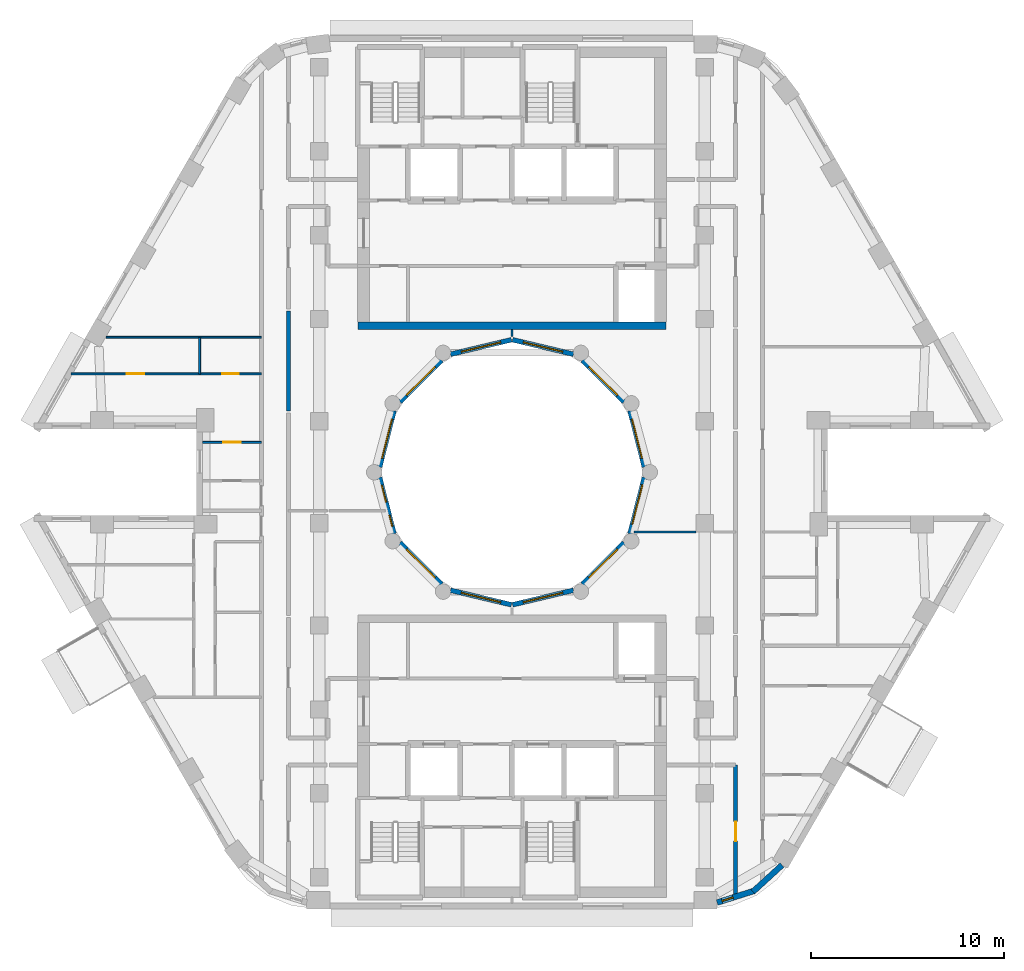
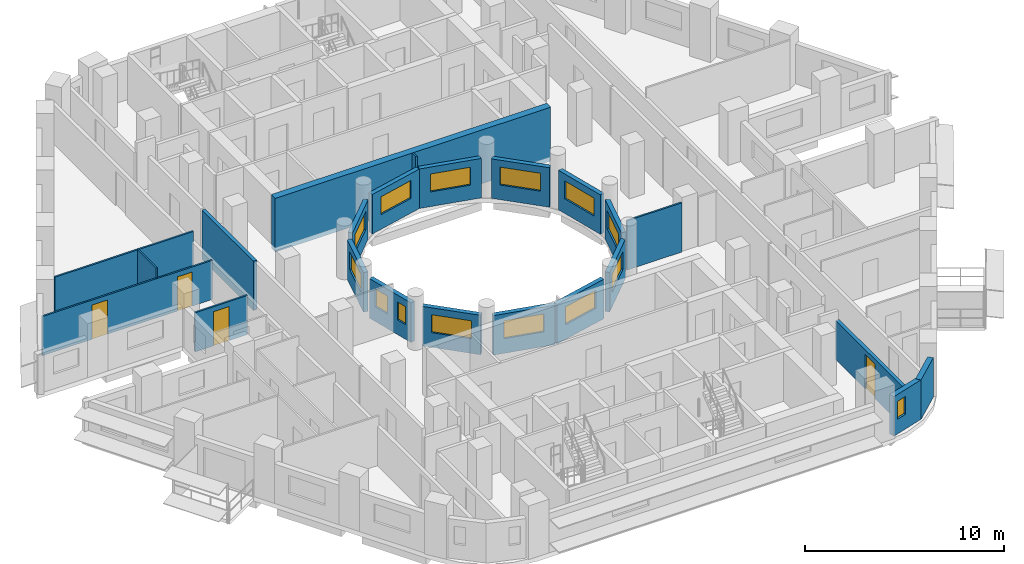
# One storey, part 5 of 15: 23 walls, 14 windows, 4 doors, 18 openings.
"""IFC4 building model written with IfcOpenShell, lengths in metres."""

from ifc_helpers import new_model, si_unit, direction, frame, frame_2d, origin, place, context, subcontext, project, spatial, rectangle, extrude, material, layer, layer_set, type_object, element, fill, save


model = new_model("IFC4")

# Units and contexts
model_context = context("Model", 3, precision=1e-05, world=origin(), true_north=direction((0.0, 1.0)))
body_context = subcontext(model_context, "Body", "Model", "MODEL_VIEW")
ifc_project = project(units=[si_unit("LENGTHUNIT", "METRE"), si_unit("AREAUNIT", "SQUARE_METRE"), si_unit("VOLUMEUNIT", "CUBIC_METRE"), si_unit("PLANEANGLEUNIT", "RADIAN"), si_unit("MASSUNIT", "GRAM", prefix="KILO")], contexts=[model_context])

# Site, building, storey
site_placement = place(None, origin())
site = spatial("IfcSite", under=ifc_project, at=site_placement, CompositionType="ELEMENT")
building_placement = place(site_placement, origin())
building = spatial("IfcBuilding", under=site, at=building_placement, Name="Nakaniwa Court", CompositionType="ELEMENT")
storey_placement = place(building_placement, frame((0.0, 0.0, 213.0)))
storey = spatial("IfcBuildingStorey", under=building, at=storey_placement, Name="L56", CompositionType="ELEMENT", Elevation=213.0)

# Wall, opening, door
ifc_material_1 = material(Name="Acoustic double stud partition")
ifc_layer_1 = layer(ifc_material_1, 0.199951171875)
ifc_layer_set_1 = layer_set([ifc_layer_1], Name="Acoustic double stud partition")
wall_type_1 = type_object("IfcWallType", Name="Acoustic double stud partition 200", PredefinedType="PARTITIONING", material=ifc_layer_set_1)
wall_1_placement = place(storey_placement, frame((91.60009765625, 57.92626953125, 0.0), z_axis=(0.0, 0.0, 1.0), x_axis=(0.0, 1.0, 0.0)))
wall_1 = element("IfcWall", 1, at=wall_1_placement, inside=storey, type_object=wall_type_1, Name="Partition PW-065", PredefinedType="PARTITIONING", context=body_context, shape_type="SweptSolid", body=[
    extrude(rectangle(XDim=6.898681640625, YDim=0.199951171875, at=frame_2d((3.44921875, 0.0))), origin(), (0.0, 0.0, 1.0), 2.405029296875),
])
opening_1_placement = place(wall_1_placement, frame((2.948974609375, 0.0, 0.0)))
opening_1 = element("IfcOpeningElement", 2, at=opening_1_placement, cuts=wall_1, Name="Opening D-02-01", PredefinedType="OPENING", context=body_context, shape_type="SweptSolid", body=[
    extrude(rectangle(XDim=1.0, YDim=2.10009765625, at=frame_2d((0.5, 1.050048828125))), frame((0.0, 0.10986328125, 0.0), z_axis=(0.0, -1.0, 0.0), x_axis=(1.0, 0.0, 0.0)), (0.0, 0.0, 1.0), 0.219970703125),
])
ifc_material_2 = material(Name="Solid core timber door set, black veneer", Category="wood")
door_type_1 = type_object("IfcDoorType", Name="Internal door 1000", OperationType="NOTDEFINED", PredefinedType="DOOR", material=ifc_material_2)
door_1_placement = place(opening_1_placement, origin())
door_1 = element("IfcDoor", 3, at=door_1_placement, inside=storey, type_object=door_type_1, Name="Door D-02-01 L56-021", OperationType="SINGLE_SWING_RIGHT", OverallHeight=2.10009765625, OverallWidth=1.0, PredefinedType="DOOR", context=body_context, shape_type="SweptSolid", body=[
    extrude(rectangle(XDim=1.0, YDim=2.10009765625, at=frame_2d((0.5, 1.050048828125))), frame((0.0, 0.02490234375, 0.0), z_axis=(0.0, -1.0, 0.0), x_axis=(1.0, 0.0, 0.0)), (0.0, 0.0, 1.0), 0.050048828125),
])
fill(opening_1, door_1)

# Wall
wall_2_placement = place(storey_placement, frame((68.39990234375, 83.17724609375, 0.0), z_axis=(0.0, 0.0, 1.0), x_axis=(0.0, 1.0, 0.0)))
element("IfcWall", 4, at=wall_2_placement, inside=storey, type_object=wall_type_1, Name="Partition PW-095", PredefinedType="PARTITIONING", context=body_context, shape_type="SweptSolid", body=[
    extrude(rectangle(XDim=5.185546875, YDim=0.199951171875, at=frame_2d((2.5927734375, 0.0))), origin(), (0.0, 0.0, 1.0), 3.02490234375),
])

# Wall, opening, window
ifc_material_3 = material(Name="Charcoal ceramic cladding")
ifc_layer_2 = layer(ifc_material_3, 0.02, Name="Ceramic cladding")
ifc_material_4 = material(Name="Ventilated air cavity")
ifc_layer_3 = layer(ifc_material_4, 0.04, ventilated=True, Name="Ventilated cavity")
ifc_material_5 = material(Name="Mineral wool insulation")
ifc_layer_4 = layer(ifc_material_5, 0.1, Name="Insulation")
ifc_material_6 = material(Name="Cement bonded sheathing board")
ifc_layer_5 = layer(ifc_material_6, 0.012, Name="Sheathing")
ifc_material_7 = material(Name="Cold-formed galvanised stud frame with mineral wool infill")
ifc_layer_6 = layer(ifc_material_7, 0.1, Name="Stud frame")
ifc_material_8 = material(Name="Fire-rated gypsum plasterboard lining")
ifc_layer_7 = layer(ifc_material_8, 0.028, Name="Lining")
ifc_layer_set_2 = layer_set([ifc_layer_2, ifc_layer_3, ifc_layer_4, ifc_layer_5, ifc_layer_6, ifc_layer_7], Name="Charcoal ceramic faced external wall system")
wall_type_2 = type_object("IfcWallType", Name="Black ceramic faced external wall 300", PredefinedType="SOLIDWALL", material=ifc_layer_set_2)
wall_3_placement = place(storey_placement, frame((90.6357421875, 57.684814453125, 0.0), z_axis=(0.0, 0.0, 1.0), x_axis=(0.95368324118, 0.300812691707, 0.0)))
wall_3 = element("IfcWall", 5, at=wall_3_placement, inside=storey, type_object=wall_type_2, Name="L56 external wall 27", PredefinedType="SOLIDWALL", context=body_context, shape_type="SweptSolid", body=[
    extrude(rectangle(XDim=2.053466796875, YDim=0.300048828125, at=frame_2d((1.02685546875, 0.0))), origin(), (0.0, 0.0, 1.0), 2.425048828125),
])
opening_2_placement = place(wall_3_placement, frame((0.271240234375, 0.0, 0.89990234375)))
opening_2 = element("IfcOpeningElement", 6, at=opening_2_placement, cuts=wall_3, Name="Opening W8.31", PredefinedType="OPENING", context=body_context, shape_type="SweptSolid", body=[
    extrude(rectangle(XDim=0.60009765625, YDim=1.10009765625, at=frame_2d((0.300048828125, 0.550048828125))), frame((0.0, 0.159912109375, 0.0), z_axis=(0.0, -1.0, 0.0), x_axis=(1.0, 0.0, 0.0)), (0.0, 0.0, 1.0), 0.320068359375),
])
ifc_material_9 = material(Name="Black anodised aluminium frame with dark low-E laminated double glazing", Category="aluminium")
window_type_1 = type_object("IfcWindowType", Name="Dark glass window 600x1100 sill 900", PartitioningType="SINGLE_PANEL", PredefinedType="WINDOW", material=ifc_material_9)
window_1_placement = place(opening_2_placement, origin())
window_1 = element("IfcWindow", 7, at=window_1_placement, inside=storey, type_object=window_type_1, Name="L56 habitable room window 27-0", OverallHeight=1.10009765625, OverallWidth=0.60009765625, PartitioningType="SINGLE_PANEL", PredefinedType="WINDOW", context=body_context, shape_type="SweptSolid", body=[
    extrude(rectangle(XDim=0.60009765625, YDim=1.10009765625, at=frame_2d((0.300048828125, 0.550048828125))), frame((0.0, 0.030029296875, 0.0), z_axis=(0.0, -1.0, 0.0), x_axis=(1.0, 0.0, 0.0)), (0.0, 0.0, 1.0), 0.06005859375),
])
fill(opening_2, window_1)

# Wall
wall_4_placement = place(storey_placement, frame((92.494140625, 58.243896484375, 0.0), z_axis=(0.0, 0.0, 1.0), x_axis=(0.73764876128, 0.675184645102, 0.0)))
element("IfcWall", 8, at=wall_4_placement, inside=storey, type_object=wall_type_2, Name="L56 external wall 28", PredefinedType="SOLIDWALL", context=body_context, shape_type="SweptSolid", body=[
    extrude(rectangle(XDim=2.048095703125, YDim=0.300048828125, at=frame_2d((1.02392578125, 0.0))), origin(), (0.0, 0.0, 1.0), 2.425048828125),
])

# Wall, opening, window
ifc_layer_8 = layer(ifc_material_3, 0.02, Name="Ceramic cladding")
ifc_layer_9 = layer(ifc_material_4, 0.04, ventilated=True, Name="Ventilated cavity")
ifc_layer_10 = layer(ifc_material_5, 0.075, Name="Insulation")
ifc_layer_11 = layer(ifc_material_6, 0.012, Name="Sheathing")
ifc_layer_12 = layer(ifc_material_7, 0.075, Name="Stud frame")
ifc_layer_13 = layer(ifc_material_8, 0.028, Name="Lining")
ifc_layer_set_3 = layer_set([ifc_layer_8, ifc_layer_9, ifc_layer_10, ifc_layer_11, ifc_layer_12, ifc_layer_13], Name="Charcoal ceramic faced external wall system")
wall_type_3 = type_object("IfcWallType", Name="Charcoal ceramic faced well wall 250", PredefinedType="SOLIDWALL", material=ifc_layer_set_3)
wall_5_placement = place(storey_placement, frame((86.8603515625, 79.72998046875, 0.0), z_axis=(0.0, 0.0, 1.0), x_axis=(-0.247055971283, -0.969001211069, 0.0)))
wall_5 = element("IfcWall", 9, at=wall_5_placement, inside=storey, type_object=wall_type_3, Name="L56 external wall 36", PredefinedType="SOLIDWALL", context=body_context, shape_type="SweptSolid", body=[
    extrude(rectangle(XDim=3.010009765625, YDim=0.25, at=frame_2d((1.5048828125, 0.0))), origin(), (0.0, 0.0, 1.0), 2.425048828125),
])
opening_3_placement = place(wall_5_placement, frame((0.400634765625, 0.0, 0.89990234375)))
opening_3 = element("IfcOpeningElement", 10, at=opening_3_placement, cuts=wall_5, Name="Opening W7.37", PredefinedType="OPENING", context=body_context, shape_type="SweptSolid", body=[
    extrude(rectangle(XDim=2.10009765625, YDim=1.10009765625, at=frame_2d((1.050048828125, 0.550048828125))), frame((0.0, 0.135009765625, 0.0), z_axis=(0.0, -1.0, 0.0), x_axis=(1.0, 0.0, 0.0)), (0.0, 0.0, 1.0), 0.27001953125),
])
window_type_2 = type_object("IfcWindowType", Name="Dark glass window 2100x1100 sill 900", PartitioningType="SINGLE_PANEL", PredefinedType="WINDOW", material=ifc_material_9)
window_2_placement = place(opening_3_placement, origin())
window_2 = element("IfcWindow", 11, at=window_2_placement, inside=storey, type_object=window_type_2, Name="L56 habitable room window 36-0", OverallHeight=1.10009765625, OverallWidth=2.10009765625, PartitioningType="SINGLE_PANEL", PredefinedType="WINDOW", context=body_context, shape_type="SweptSolid", body=[
    extrude(rectangle(XDim=2.10009765625, YDim=1.10009765625, at=frame_2d((1.050048828125, 0.550048828125))), frame((0.0, 0.030029296875, 0.0), z_axis=(0.0, -1.0, 0.0), x_axis=(1.0, 0.0, 0.0)), (0.0, 0.0, 1.0), 0.06005859375),
])
fill(opening_3, window_2)

wall_6_placement = place(storey_placement, frame((85.8056640625, 76.339111328125, 0.0), z_axis=(0.0, 0.0, 1.0), x_axis=(-0.707106781187, -0.707106781187, 0.0)))
wall_6 = element("IfcWall", 12, at=wall_6_placement, inside=storey, type_object=wall_type_3, Name="L56 external wall 37", PredefinedType="SOLIDWALL", context=body_context, shape_type="SweptSolid", body=[
    extrude(rectangle(XDim=3.033203125, YDim=0.25, at=frame_2d((1.5166015625, 0.0))), origin(), (0.0, 0.0, 1.0), 2.425048828125),
])
opening_4_placement = place(wall_6_placement, frame((0.466552734375, 0.0, 0.89990234375)))
opening_4 = element("IfcOpeningElement", 13, at=opening_4_placement, cuts=wall_6, Name="Opening W7.38", PredefinedType="OPENING", context=body_context, shape_type="SweptSolid", body=[
    extrude(rectangle(XDim=2.10009765625, YDim=1.10009765625, at=frame_2d((1.050048828125, 0.550048828125))), frame((0.0, 0.135009765625, 0.0), z_axis=(0.0, -1.0, 0.0), x_axis=(1.0, 0.0, 0.0)), (0.0, 0.0, 1.0), 0.27001953125),
])
window_3_placement = place(opening_4_placement, origin())
window_3 = element("IfcWindow", 14, at=window_3_placement, inside=storey, type_object=window_type_2, Name="L56 habitable room window 37-0", OverallHeight=1.10009765625, OverallWidth=2.10009765625, PartitioningType="SINGLE_PANEL", PredefinedType="WINDOW", context=body_context, shape_type="SweptSolid", body=[
    extrude(rectangle(XDim=2.10009765625, YDim=1.10009765625, at=frame_2d((1.050048828125, 0.550048828125))), frame((0.0, 0.030029296875, 0.0), z_axis=(0.0, -1.0, 0.0), x_axis=(1.0, 0.0, 0.0)), (0.0, 0.0, 1.0), 0.06005859375),
])
fill(opening_4, window_3)

wall_7_placement = place(storey_placement, frame((83.186279296875, 73.880615234375, 0.0), z_axis=(0.0, 0.0, 1.0), x_axis=(-0.972773113459, -0.231759508395, 0.0)))
wall_7 = element("IfcWall", 15, at=wall_7_placement, inside=storey, type_object=wall_type_3, Name="L56 external wall 38", PredefinedType="SOLIDWALL", context=body_context, shape_type="SweptSolid", body=[
    extrude(rectangle(XDim=3.24560546875, YDim=0.25, at=frame_2d((1.622802734375, 0.0))), origin(), (0.0, 0.0, 1.0), 2.425048828125),
])
opening_5_placement = place(wall_7_placement, frame((0.57275390625, 0.0, 0.89990234375)))
opening_5 = element("IfcOpeningElement", 16, at=opening_5_placement, cuts=wall_7, Name="Opening W7.39", PredefinedType="OPENING", context=body_context, shape_type="SweptSolid", body=[
    extrude(rectangle(XDim=2.10009765625, YDim=1.10009765625, at=frame_2d((1.050048828125, 0.550048828125))), frame((0.0, 0.135009765625, 0.0), z_axis=(0.0, -1.0, 0.0), x_axis=(1.0, 0.0, 0.0)), (0.0, 0.0, 1.0), 0.27001953125),
])
window_4_placement = place(opening_5_placement, origin())
window_4 = element("IfcWindow", 17, at=window_4_placement, inside=storey, type_object=window_type_2, Name="L56 habitable room window 38-0", OverallHeight=1.10009765625, OverallWidth=2.10009765625, PartitioningType="SINGLE_PANEL", PredefinedType="WINDOW", context=body_context, shape_type="SweptSolid", body=[
    extrude(rectangle(XDim=2.10009765625, YDim=1.10009765625, at=frame_2d((1.050048828125, 0.550048828125))), frame((0.0, 0.030029296875, 0.0), z_axis=(0.0, -1.0, 0.0), x_axis=(1.0, 0.0, 0.0)), (0.0, 0.0, 1.0), 0.06005859375),
])
fill(opening_5, window_4)

wall_8_placement = place(storey_placement, frame((79.970947265625, 73.12841796875, 0.0), z_axis=(0.0, 0.0, 1.0), x_axis=(-0.972773113459, 0.231759508395, 0.0)))
wall_8 = element("IfcWall", 18, at=wall_8_placement, inside=storey, type_object=wall_type_3, Name="L56 external wall 39", PredefinedType="SOLIDWALL", context=body_context, shape_type="SweptSolid", body=[
    extrude(rectangle(XDim=3.24560546875, YDim=0.25, at=frame_2d((1.622802734375, 0.0))), origin(), (0.0, 0.0, 1.0), 2.425048828125),
])
opening_6_placement = place(wall_8_placement, frame((0.57275390625, 0.0, 0.89990234375)))
opening_6 = element("IfcOpeningElement", 19, at=opening_6_placement, cuts=wall_8, Name="Opening W7.40", PredefinedType="OPENING", context=body_context, shape_type="SweptSolid", body=[
    extrude(rectangle(XDim=2.10009765625, YDim=1.10009765625, at=frame_2d((1.050048828125, 0.550048828125))), frame((0.0, 0.135009765625, 0.0), z_axis=(0.0, -1.0, 0.0), x_axis=(1.0, 0.0, 0.0)), (0.0, 0.0, 1.0), 0.27001953125),
])
window_5_placement = place(opening_6_placement, origin())
window_5 = element("IfcWindow", 20, at=window_5_placement, inside=storey, type_object=window_type_2, Name="L56 habitable room window 39-0", OverallHeight=1.10009765625, OverallWidth=2.10009765625, PartitioningType="SINGLE_PANEL", PredefinedType="WINDOW", context=body_context, shape_type="SweptSolid", body=[
    extrude(rectangle(XDim=2.10009765625, YDim=1.10009765625, at=frame_2d((1.050048828125, 0.550048828125))), frame((0.0, 0.030029296875, 0.0), z_axis=(0.0, -1.0, 0.0), x_axis=(1.0, 0.0, 0.0)), (0.0, 0.0, 1.0), 0.06005859375),
])
fill(opening_6, window_5)

wall_9_placement = place(storey_placement, frame((76.339111328125, 74.1943359375, 0.0), z_axis=(0.0, 0.0, 1.0), x_axis=(-0.707106781187, 0.707106781187, 0.0)))
wall_9 = element("IfcWall", 21, at=wall_9_placement, inside=storey, type_object=wall_type_3, Name="L56 external wall 40", PredefinedType="SOLIDWALL", context=body_context, shape_type="SweptSolid", body=[
    extrude(rectangle(XDim=3.033203125, YDim=0.25, at=frame_2d((1.5166015625, 0.0))), origin(), (0.0, 0.0, 1.0), 2.425048828125),
])
opening_7_placement = place(wall_9_placement, frame((0.466552734375, 0.0, 0.89990234375)))
opening_7 = element("IfcOpeningElement", 22, at=opening_7_placement, cuts=wall_9, Name="Opening W7.41", PredefinedType="OPENING", context=body_context, shape_type="SweptSolid", body=[
    extrude(rectangle(XDim=2.10009765625, YDim=1.10009765625, at=frame_2d((1.050048828125, 0.550048828125))), frame((0.0, 0.135009765625, 0.0), z_axis=(0.0, -1.0, 0.0), x_axis=(1.0, 0.0, 0.0)), (0.0, 0.0, 1.0), 0.27001953125),
])
window_6_placement = place(opening_7_placement, origin())
window_6 = element("IfcWindow", 23, at=window_6_placement, inside=storey, type_object=window_type_2, Name="L56 habitable room window 40-0", OverallHeight=1.10009765625, OverallWidth=2.10009765625, PartitioningType="SINGLE_PANEL", PredefinedType="WINDOW", context=body_context, shape_type="SweptSolid", body=[
    extrude(rectangle(XDim=2.10009765625, YDim=1.10009765625, at=frame_2d((1.050048828125, 0.550048828125))), frame((0.0, 0.030029296875, 0.0), z_axis=(0.0, -1.0, 0.0), x_axis=(1.0, 0.0, 0.0)), (0.0, 0.0, 1.0), 0.06005859375),
])
fill(opening_7, window_6)

# Wall, openings, windows
wall_10_placement = place(storey_placement, frame((73.88330078125, 76.813232421875, 0.0), z_axis=(0.0, 0.0, 1.0), x_axis=(-0.247055971283, 0.969001211069, 0.0)))
wall_10 = element("IfcWall", 24, at=wall_10_placement, inside=storey, type_object=wall_type_3, Name="L56 external wall 41", PredefinedType="SOLIDWALL", context=body_context, shape_type="SweptSolid", body=[
    extrude(rectangle(XDim=3.010009765625, YDim=0.25, at=frame_2d((1.5048828125, 0.0))), origin(), (0.0, 0.0, 1.0), 2.425048828125),
])
opening_8_placement = place(wall_10_placement, frame((0.3916015625, 0.0, 0.89990234375)))
opening_8 = element("IfcOpeningElement", 25, at=opening_8_placement, cuts=wall_10, Name="Opening W8.42", PredefinedType="OPENING", context=body_context, shape_type="SweptSolid", body=[
    extrude(rectangle(XDim=0.60009765625, YDim=1.10009765625, at=frame_2d((0.300048828125, 0.550048828125))), frame((0.0, 0.135009765625, 0.0), z_axis=(0.0, -1.0, 0.0), x_axis=(1.0, 0.0, 0.0)), (0.0, 0.0, 1.0), 0.27001953125),
])
opening_9_placement = place(wall_10_placement, frame((1.69140625, 0.0, 0.89990234375)))
opening_9 = element("IfcOpeningElement", 26, at=opening_9_placement, cuts=wall_10, Name="Opening W9.43", PredefinedType="OPENING", context=body_context, shape_type="SweptSolid", body=[
    extrude(rectangle(XDim=0.89990234375, YDim=1.10009765625, at=frame_2d((0.449951171875, 0.550048828125))), frame((0.0, 0.135009765625, 0.0), z_axis=(0.0, -1.0, 0.0), x_axis=(1.0, 0.0, 0.0)), (0.0, 0.0, 1.0), 0.27001953125),
])
window_7_placement = place(opening_8_placement, origin())
window_7 = element("IfcWindow", 27, at=window_7_placement, inside=storey, type_object=window_type_1, Name="L56 habitable room window 41-0", OverallHeight=1.10009765625, OverallWidth=0.60009765625, PartitioningType="SINGLE_PANEL", PredefinedType="WINDOW", context=body_context, shape_type="SweptSolid", body=[
    extrude(rectangle(XDim=0.60009765625, YDim=1.10009765625, at=frame_2d((0.300048828125, 0.550048828125))), frame((0.0, 0.030029296875, 0.0), z_axis=(0.0, -1.0, 0.0), x_axis=(1.0, 0.0, 0.0)), (0.0, 0.0, 1.0), 0.06005859375),
])
fill(opening_8, window_7)
window_type_3 = type_object("IfcWindowType", Name="Dark glass window 900x1100 sill 900", PartitioningType="SINGLE_PANEL", PredefinedType="WINDOW", material=ifc_material_9)
window_8_placement = place(opening_9_placement, origin())
window_8 = element("IfcWindow", 28, at=window_8_placement, inside=storey, type_object=window_type_3, Name="L56 habitable room window 41-1", OverallHeight=1.10009765625, OverallWidth=0.89990234375, PartitioningType="SINGLE_PANEL", PredefinedType="WINDOW", context=body_context, shape_type="SweptSolid", body=[
    extrude(rectangle(XDim=0.89990234375, YDim=1.10009765625, at=frame_2d((0.449951171875, 0.550048828125))), frame((0.0, 0.030029296875, 0.0), z_axis=(0.0, -1.0, 0.0), x_axis=(1.0, 0.0, 0.0)), (0.0, 0.0, 1.0), 0.06005859375),
])
fill(opening_9, window_8)

# Wall, opening, window
wall_11_placement = place(storey_placement, frame((73.1396484375, 80.27001953125, 0.0), z_axis=(0.0, 0.0, 1.0), x_axis=(0.247055971283, 0.969001211069, 0.0)))
wall_11 = element("IfcWall", 29, at=wall_11_placement, inside=storey, type_object=wall_type_3, Name="L56 external wall 42", PredefinedType="SOLIDWALL", context=body_context, shape_type="SweptSolid", body=[
    extrude(rectangle(XDim=3.010009765625, YDim=0.25, at=frame_2d((1.5048828125, 0.0))), origin(), (0.0, 0.0, 1.0), 2.425048828125),
])
opening_10_placement = place(wall_11_placement, frame((0.46875, 0.0, 0.89990234375)))
opening_10 = element("IfcOpeningElement", 30, at=opening_10_placement, cuts=wall_11, Name="Opening W7.44", PredefinedType="OPENING", context=body_context, shape_type="SweptSolid", body=[
    extrude(rectangle(XDim=2.10009765625, YDim=1.10009765625, at=frame_2d((1.050048828125, 0.550048828125))), frame((0.0, 0.135009765625, 0.0), z_axis=(0.0, -1.0, 0.0), x_axis=(1.0, 0.0, 0.0)), (0.0, 0.0, 1.0), 0.27001953125),
])
window_9_placement = place(opening_10_placement, origin())
window_9 = element("IfcWindow", 31, at=window_9_placement, inside=storey, type_object=window_type_2, Name="L56 habitable room window 42-0", OverallHeight=1.10009765625, OverallWidth=2.10009765625, PartitioningType="SINGLE_PANEL", PredefinedType="WINDOW", context=body_context, shape_type="SweptSolid", body=[
    extrude(rectangle(XDim=2.10009765625, YDim=1.10009765625, at=frame_2d((1.050048828125, 0.550048828125))), frame((0.0, 0.030029296875, 0.0), z_axis=(0.0, -1.0, 0.0), x_axis=(1.0, 0.0, 0.0)), (0.0, 0.0, 1.0), 0.06005859375),
])
fill(opening_10, window_9)

wall_12_placement = place(storey_placement, frame((74.1943359375, 83.660888671875, 0.0), z_axis=(0.0, 0.0, 1.0), x_axis=(0.707106781187, 0.707106781187, 0.0)))
wall_12 = element("IfcWall", 32, at=wall_12_placement, inside=storey, type_object=wall_type_3, Name="L56 external wall 43", PredefinedType="SOLIDWALL", context=body_context, shape_type="SweptSolid", body=[
    extrude(rectangle(XDim=3.033203125, YDim=0.25, at=frame_2d((1.5166015625, 0.0))), origin(), (0.0, 0.0, 1.0), 2.425048828125),
])
opening_11_placement = place(wall_12_placement, frame((0.466552734375, 0.0, 0.89990234375)))
opening_11 = element("IfcOpeningElement", 33, at=opening_11_placement, cuts=wall_12, Name="Opening W7.45", PredefinedType="OPENING", context=body_context, shape_type="SweptSolid", body=[
    extrude(rectangle(XDim=2.10009765625, YDim=1.10009765625, at=frame_2d((1.050048828125, 0.550048828125))), frame((0.0, 0.135009765625, 0.0), z_axis=(0.0, -1.0, 0.0), x_axis=(1.0, 0.0, 0.0)), (0.0, 0.0, 1.0), 0.27001953125),
])
window_10_placement = place(opening_11_placement, origin())
window_10 = element("IfcWindow", 34, at=window_10_placement, inside=storey, type_object=window_type_2, Name="L56 habitable room window 43-0", OverallHeight=1.10009765625, OverallWidth=2.10009765625, PartitioningType="SINGLE_PANEL", PredefinedType="WINDOW", context=body_context, shape_type="SweptSolid", body=[
    extrude(rectangle(XDim=2.10009765625, YDim=1.10009765625, at=frame_2d((1.050048828125, 0.550048828125))), frame((0.0, 0.030029296875, 0.0), z_axis=(0.0, -1.0, 0.0), x_axis=(1.0, 0.0, 0.0)), (0.0, 0.0, 1.0), 0.06005859375),
])
fill(opening_11, window_10)

wall_13_placement = place(storey_placement, frame((76.813720703125, 86.119384765625, 0.0), z_axis=(0.0, 0.0, 1.0), x_axis=(0.972773113459, 0.231759508395, 0.0)))
wall_13 = element("IfcWall", 35, at=wall_13_placement, inside=storey, type_object=wall_type_3, Name="L56 external wall 44", PredefinedType="SOLIDWALL", context=body_context, shape_type="SweptSolid", body=[
    extrude(rectangle(XDim=3.24560546875, YDim=0.25, at=frame_2d((1.622802734375, 0.0))), origin(), (0.0, 0.0, 1.0), 2.425048828125),
])
opening_12_placement = place(wall_13_placement, frame((0.57275390625, 0.0, 0.89990234375)))
opening_12 = element("IfcOpeningElement", 36, at=opening_12_placement, cuts=wall_13, Name="Opening W7.46", PredefinedType="OPENING", context=body_context, shape_type="SweptSolid", body=[
    extrude(rectangle(XDim=2.10009765625, YDim=1.10009765625, at=frame_2d((1.050048828125, 0.550048828125))), frame((0.0, 0.135009765625, 0.0), z_axis=(0.0, -1.0, 0.0), x_axis=(1.0, 0.0, 0.0)), (0.0, 0.0, 1.0), 0.27001953125),
])
window_11_placement = place(opening_12_placement, origin())
window_11 = element("IfcWindow", 37, at=window_11_placement, inside=storey, type_object=window_type_2, Name="L56 habitable room window 44-0", OverallHeight=1.10009765625, OverallWidth=2.10009765625, PartitioningType="SINGLE_PANEL", PredefinedType="WINDOW", context=body_context, shape_type="SweptSolid", body=[
    extrude(rectangle(XDim=2.10009765625, YDim=1.10009765625, at=frame_2d((1.050048828125, 0.550048828125))), frame((0.0, 0.030029296875, 0.0), z_axis=(0.0, -1.0, 0.0), x_axis=(1.0, 0.0, 0.0)), (0.0, 0.0, 1.0), 0.06005859375),
])
fill(opening_12, window_11)

wall_14_placement = place(storey_placement, frame((80.029052734375, 86.87158203125, 0.0), z_axis=(0.0, 0.0, 1.0), x_axis=(0.972773113459, -0.231759508395, 0.0)))
wall_14 = element("IfcWall", 38, at=wall_14_placement, inside=storey, type_object=wall_type_3, Name="L56 external wall 45", PredefinedType="SOLIDWALL", context=body_context, shape_type="SweptSolid", body=[
    extrude(rectangle(XDim=3.24560546875, YDim=0.25, at=frame_2d((1.622802734375, 0.0))), origin(), (0.0, 0.0, 1.0), 2.425048828125),
])
opening_13_placement = place(wall_14_placement, frame((0.57275390625, 0.0, 0.89990234375)))
opening_13 = element("IfcOpeningElement", 39, at=opening_13_placement, cuts=wall_14, Name="Opening W7.47", PredefinedType="OPENING", context=body_context, shape_type="SweptSolid", body=[
    extrude(rectangle(XDim=2.10009765625, YDim=1.10009765625, at=frame_2d((1.050048828125, 0.550048828125))), frame((0.0, 0.135009765625, 0.0), z_axis=(0.0, -1.0, 0.0), x_axis=(1.0, 0.0, 0.0)), (0.0, 0.0, 1.0), 0.27001953125),
])
window_12_placement = place(opening_13_placement, origin())
window_12 = element("IfcWindow", 40, at=window_12_placement, inside=storey, type_object=window_type_2, Name="L56 habitable room window 45-0", OverallHeight=1.10009765625, OverallWidth=2.10009765625, PartitioningType="SINGLE_PANEL", PredefinedType="WINDOW", context=body_context, shape_type="SweptSolid", body=[
    extrude(rectangle(XDim=2.10009765625, YDim=1.10009765625, at=frame_2d((1.050048828125, 0.550048828125))), frame((0.0, 0.030029296875, 0.0), z_axis=(0.0, -1.0, 0.0), x_axis=(1.0, 0.0, 0.0)), (0.0, 0.0, 1.0), 0.06005859375),
])
fill(opening_13, window_12)

wall_15_placement = place(storey_placement, frame((83.660888671875, 85.8056640625, 0.0), z_axis=(0.0, 0.0, 1.0), x_axis=(0.707106781187, -0.707106781187, 0.0)))
wall_15 = element("IfcWall", 41, at=wall_15_placement, inside=storey, type_object=wall_type_3, Name="L56 external wall 46", PredefinedType="SOLIDWALL", context=body_context, shape_type="SweptSolid", body=[
    extrude(rectangle(XDim=3.033203125, YDim=0.25, at=frame_2d((1.5166015625, 0.0))), origin(), (0.0, 0.0, 1.0), 2.425048828125),
])
opening_14_placement = place(wall_15_placement, frame((0.466552734375, 0.0, 0.89990234375)))
opening_14 = element("IfcOpeningElement", 42, at=opening_14_placement, cuts=wall_15, Name="Opening W7.48", PredefinedType="OPENING", context=body_context, shape_type="SweptSolid", body=[
    extrude(rectangle(XDim=2.10009765625, YDim=1.10009765625, at=frame_2d((1.050048828125, 0.550048828125))), frame((0.0, 0.135009765625, 0.0), z_axis=(0.0, -1.0, 0.0), x_axis=(1.0, 0.0, 0.0)), (0.0, 0.0, 1.0), 0.27001953125),
])
window_13_placement = place(opening_14_placement, origin())
window_13 = element("IfcWindow", 43, at=window_13_placement, inside=storey, type_object=window_type_2, Name="L56 habitable room window 46-0", OverallHeight=1.10009765625, OverallWidth=2.10009765625, PartitioningType="SINGLE_PANEL", PredefinedType="WINDOW", context=body_context, shape_type="SweptSolid", body=[
    extrude(rectangle(XDim=2.10009765625, YDim=1.10009765625, at=frame_2d((1.050048828125, 0.550048828125))), frame((0.0, 0.030029296875, 0.0), z_axis=(0.0, -1.0, 0.0), x_axis=(1.0, 0.0, 0.0)), (0.0, 0.0, 1.0), 0.06005859375),
])
fill(opening_14, window_13)

wall_16_placement = place(storey_placement, frame((86.11669921875, 83.186767578125, 0.0), z_axis=(0.0, 0.0, 1.0), x_axis=(0.247055971283, -0.969001211069, 0.0)))
wall_16 = element("IfcWall", 44, at=wall_16_placement, inside=storey, type_object=wall_type_3, Name="L56 external wall 47", PredefinedType="SOLIDWALL", context=body_context, shape_type="SweptSolid", body=[
    extrude(rectangle(XDim=3.010009765625, YDim=0.25, at=frame_2d((1.5048828125, 0.0))), origin(), (0.0, 0.0, 1.0), 2.425048828125),
])
opening_15_placement = place(wall_16_placement, frame((0.441162109375, 0.0, 0.89990234375)))
opening_15 = element("IfcOpeningElement", 45, at=opening_15_placement, cuts=wall_16, Name="Opening W7.49", PredefinedType="OPENING", context=body_context, shape_type="SweptSolid", body=[
    extrude(rectangle(XDim=2.10009765625, YDim=1.10009765625, at=frame_2d((1.050048828125, 0.550048828125))), frame((0.0, 0.135009765625, 0.0), z_axis=(0.0, -1.0, 0.0), x_axis=(1.0, 0.0, 0.0)), (0.0, 0.0, 1.0), 0.27001953125),
])
window_14_placement = place(opening_15_placement, origin())
window_14 = element("IfcWindow", 46, at=window_14_placement, inside=storey, type_object=window_type_2, Name="L56 habitable room window 47-0", OverallHeight=1.10009765625, OverallWidth=2.10009765625, PartitioningType="SINGLE_PANEL", PredefinedType="WINDOW", context=body_context, shape_type="SweptSolid", body=[
    extrude(rectangle(XDim=2.10009765625, YDim=1.10009765625, at=frame_2d((1.050048828125, 0.550048828125))), frame((0.0, 0.030029296875, 0.0), z_axis=(0.0, -1.0, 0.0), x_axis=(1.0, 0.0, 0.0)), (0.0, 0.0, 1.0), 0.06005859375),
])
fill(opening_15, window_14)

# Walls
ifc_material_10 = material(Name="Concrete C80/100", Category="concrete")
ifc_layer_14 = layer(ifc_material_10, 0.39990234375)
ifc_layer_set_4 = layer_set([ifc_layer_14], Name="Concrete C80/100")
wall_type_4 = type_object("IfcWallType", Name="Concrete core well wall 400 C80", PredefinedType="SHEAR", material=ifc_layer_set_4)
wall_17_placement = place(storey_placement, frame((72.00390625, 87.60009765625, -0.27490234375), z_axis=(0.0, 0.0, 1.0), x_axis=(1.0, 0.0, 0.0)))
element("IfcWall", 47, at=wall_17_placement, inside=storey, type_object=wall_type_4, Name="Core wall SW-134", PredefinedType="SHEAR", context=body_context, shape_type="SweptSolid", body=[
    extrude(rectangle(XDim=15.9921875, YDim=0.39990234375, at=frame_2d((7.99609375, 0.0))), origin(), (0.0, 0.0, 1.0), 3.2998046875),
])
ifc_material_11 = material(Name="Single stud plasterboard partition")
ifc_layer_15 = layer(ifc_material_11, 0.10009765625)
ifc_layer_set_5 = layer_set([ifc_layer_15], Name="Single stud plasterboard partition")
wall_type_5 = type_object("IfcWallType", Name="Single stud plasterboard partition 100", PredefinedType="PARTITIONING", material=ifc_layer_set_5)
wall_18_placement = place(storey_placement, frame((80.0, 87.048095703125, 0.0), z_axis=(0.0, 0.0, 1.0), x_axis=(0.0, 1.0, 0.0)))
element("IfcWall", 48, at=wall_18_placement, inside=storey, type_object=wall_type_5, Name="Partition PW-105", PredefinedType="PARTITIONING", context=body_context, shape_type="SweptSolid", body=[
    extrude(rectangle(XDim=0.351806640625, YDim=0.10009765625, at=frame_2d((0.17578125, 0.0))), origin(), (0.0, 0.0, 1.0), 3.02490234375),
])
wall_19_placement = place(storey_placement, frame((86.328369140625, 76.89990234375, 0.0), z_axis=(0.0, 0.0, 1.0), x_axis=(1.0, 0.0, 0.0)))
element("IfcWall", 49, at=wall_19_placement, inside=storey, type_object=wall_type_5, Name="Partition PW-111", PredefinedType="PARTITIONING", context=body_context, shape_type="SweptSolid", body=[
    extrude(rectangle(XDim=3.20166015625, YDim=0.10009765625, at=frame_2d((1.600830078125, 0.0))), origin(), (0.0, 0.0, 1.0), 3.02490234375),
])

# Wall, opening, door
wall_20_placement = place(storey_placement, frame((63.950439453125, 81.550048828125, 0.0), z_axis=(0.0, 0.0, 1.0), x_axis=(1.0, 0.0, 0.0)))
wall_20 = element("IfcWall", 50, at=wall_20_placement, inside=storey, type_object=wall_type_5, Name="Partition PW-130", PredefinedType="PARTITIONING", context=body_context, shape_type="SweptSolid", body=[
    extrude(rectangle(XDim=3.048583984375, YDim=0.10009765625, at=frame_2d((1.5244140625, 0.0))), origin(), (0.0, 0.0, 1.0), 2.405029296875),
])
opening_16_placement = place(wall_20_placement, frame((1.073974609375, 0.0, 0.0)))
opening_16 = element("IfcOpeningElement", 51, at=opening_16_placement, cuts=wall_20, Name="Opening D-33-10", PredefinedType="OPENING", context=body_context, shape_type="SweptSolid", body=[
    extrude(rectangle(XDim=0.89990234375, YDim=2.10009765625, at=frame_2d((0.449951171875, 1.050048828125))), frame((0.0, 0.06005859375, 0.0), z_axis=(0.0, -1.0, 0.0), x_axis=(1.0, 0.0, 0.0)), (0.0, 0.0, 1.0), 0.1201171875),
])
door_type_2 = type_object("IfcDoorType", Name="Internal door 900", OperationType="NOTDEFINED", PredefinedType="DOOR", material=ifc_material_2)
door_2_placement = place(opening_16_placement, origin())
door_2 = element("IfcDoor", 52, at=door_2_placement, inside=storey, type_object=door_type_2, Name="Door D-33-10 L56-043", OperationType="SINGLE_SWING_RIGHT", OverallHeight=2.10009765625, OverallWidth=0.89990234375, PredefinedType="DOOR", context=body_context, shape_type="SweptSolid", body=[
    extrude(rectangle(XDim=0.89990234375, YDim=2.10009765625, at=frame_2d((0.449951171875, 1.050048828125))), frame((0.0, 0.02490234375, 0.0), z_axis=(0.0, -1.0, 0.0), x_axis=(1.0, 0.0, 0.0)), (0.0, 0.0, 1.0), 0.050048828125),
])
fill(opening_16, door_2)

# Wall, openings, doors
wall_21_placement = place(storey_placement, frame((57.136962890625, 85.10009765625, 0.0), z_axis=(0.0, 0.0, 1.0), x_axis=(1.0, 0.0, 0.0)))
wall_21 = element("IfcWall", 53, at=wall_21_placement, inside=storey, type_object=wall_type_5, Name="Partition PW-131", PredefinedType="PARTITIONING", context=body_context, shape_type="SweptSolid", body=[
    extrude(rectangle(XDim=9.862060546875, YDim=0.10009765625, at=frame_2d((4.93115234375, 0.0))), origin(), (0.0, 0.0, 1.0), 2.405029296875),
])
opening_17_placement = place(wall_21_placement, frame((7.8369140625, 0.0, 0.0)))
opening_17 = element("IfcOpeningElement", 54, at=opening_17_placement, cuts=wall_21, Name="Opening D-03-04", PredefinedType="OPENING", context=body_context, shape_type="SweptSolid", body=[
    extrude(rectangle(XDim=0.85009765625, YDim=2.10009765625, at=frame_2d((0.425048828125, 1.050048828125))), frame((0.0, 0.06005859375, 0.0), z_axis=(0.0, -1.0, 0.0), x_axis=(1.0, 0.0, 0.0)), (0.0, 0.0, 1.0), 0.1201171875),
])
opening_18_placement = place(wall_21_placement, frame((2.881103515625, 0.0, 0.0)))
opening_18 = element("IfcOpeningElement", 55, at=opening_18_placement, cuts=wall_21, Name="Opening D-33-11", PredefinedType="OPENING", context=body_context, shape_type="SweptSolid", body=[
    extrude(rectangle(XDim=0.89990234375, YDim=2.10009765625, at=frame_2d((0.449951171875, 1.050048828125))), frame((0.0, 0.06005859375, 0.0), z_axis=(0.0, -1.0, 0.0), x_axis=(1.0, 0.0, 0.0)), (0.0, 0.0, 1.0), 0.1201171875),
])
ifc_material_12 = material(Name="Moisture sealed timber door set", Category="wood")
door_type_3 = type_object("IfcDoorType", Name="Bathroom door 850", OperationType="NOTDEFINED", PredefinedType="DOOR", material=ifc_material_12)
door_3_placement = place(opening_17_placement, origin())
door_3 = element("IfcDoor", 56, at=door_3_placement, inside=storey, type_object=door_type_3, Name="Door D-03-04 L56-044", OperationType="SINGLE_SWING_LEFT", OverallHeight=2.10009765625, OverallWidth=0.85009765625, PredefinedType="DOOR", context=body_context, shape_type="SweptSolid", body=[
    extrude(rectangle(XDim=0.85009765625, YDim=2.10009765625, at=frame_2d((0.425048828125, 1.050048828125))), frame((0.0, 0.02490234375, 0.0), z_axis=(0.0, -1.0, 0.0), x_axis=(1.0, 0.0, 0.0)), (0.0, 0.0, 1.0), 0.050048828125),
])
fill(opening_17, door_3)
door_4_placement = place(opening_18_placement, origin())
door_4 = element("IfcDoor", 57, at=door_4_placement, inside=storey, type_object=door_type_2, Name="Door D-33-11 L56-045", OperationType="SINGLE_SWING_RIGHT", OverallHeight=2.10009765625, OverallWidth=0.89990234375, PredefinedType="DOOR", context=body_context, shape_type="SweptSolid", body=[
    extrude(rectangle(XDim=0.89990234375, YDim=2.10009765625, at=frame_2d((0.449951171875, 1.050048828125))), frame((0.0, 0.02490234375, 0.0), z_axis=(0.0, -1.0, 0.0), x_axis=(1.0, 0.0, 0.0)), (0.0, 0.0, 1.0), 0.050048828125),
])
fill(opening_18, door_4)

# Walls
wall_22_placement = place(storey_placement, frame((63.799072265625, 85.10009765625, 0.0), z_axis=(0.0, 0.0, 1.0), x_axis=(0.0, 1.0, 0.0)))
element("IfcWall", 58, at=wall_22_placement, inside=storey, type_object=wall_type_5, Name="Partition PW-132", PredefinedType="PARTITIONING", context=body_context, shape_type="SweptSolid", body=[
    extrude(rectangle(XDim=1.89990234375, YDim=0.10009765625, at=frame_2d((0.949951171875, 0.0))), origin(), (0.0, 0.0, 1.0), 3.02490234375),
])
wall_23_placement = place(storey_placement, frame((58.94970703125, 87.0, 0.0), z_axis=(0.0, 0.0, 1.0), x_axis=(1.0, 0.0, 0.0)))
element("IfcWall", 59, at=wall_23_placement, inside=storey, type_object=wall_type_5, Name="Partition PW-133", PredefinedType="PARTITIONING", context=body_context, shape_type="SweptSolid", body=[
    extrude(rectangle(XDim=8.04931640625, YDim=0.10009765625, at=frame_2d((4.024658203125, 0.0))), origin(), (0.0, 0.0, 1.0), 3.02490234375),
])

save(model, "model.ifc")
